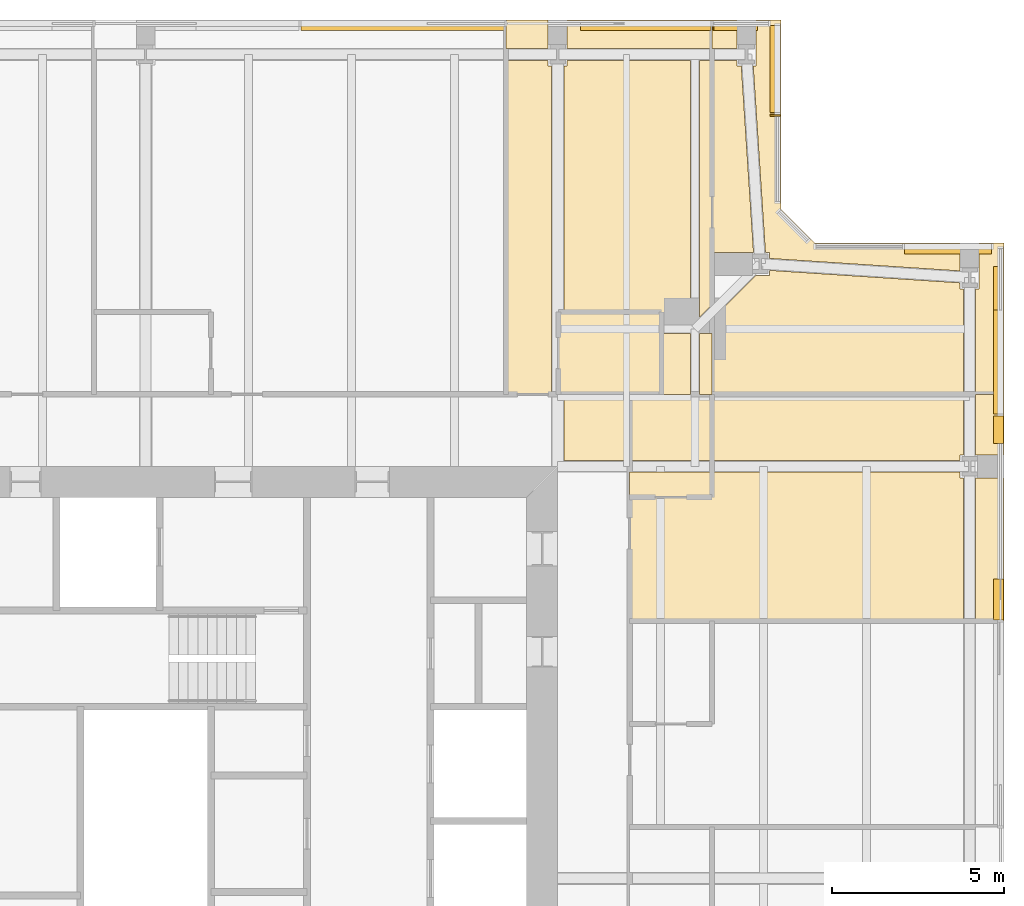
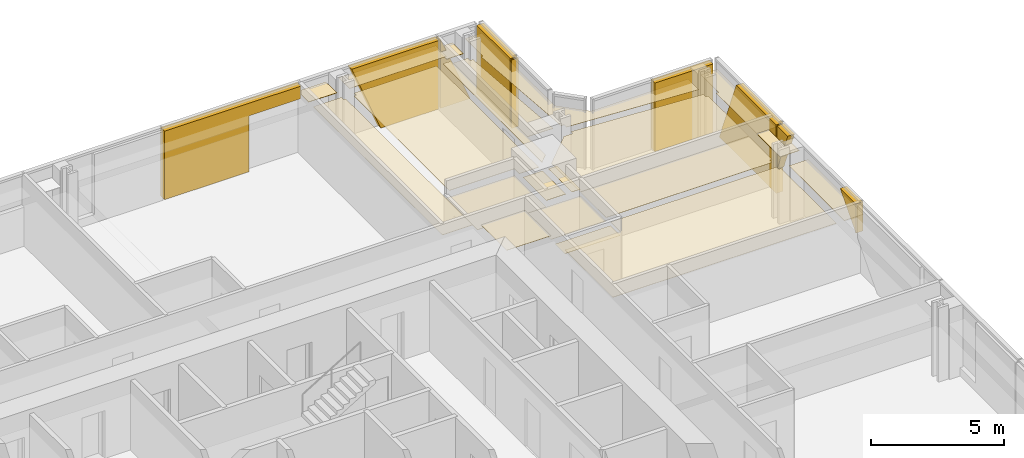
# One storey, part 20 of 20: 29 coverings.
"""IFC4 building model written with IfcOpenShell, lengths in metres."""

from ifc_helpers import new_model, si_unit, direction, frame, origin, place, context, subcontext, project, spatial, polyline, outline, extrude, material, layer, layer_set, type_object, element, save


model = new_model("IFC4")

# Units and contexts
model_context = context("Model", 3, precision=1e-05, world=origin(), true_north=direction((0.0, 1.0)))
body_context = subcontext(model_context, "Body", "Model", "MODEL_VIEW")
ifc_project = project(units=[si_unit("LENGTHUNIT", "METRE"), si_unit("AREAUNIT", "SQUARE_METRE"), si_unit("VOLUMEUNIT", "CUBIC_METRE"), si_unit("PLANEANGLEUNIT", "RADIAN"), si_unit("MASSUNIT", "GRAM", prefix="KILO")], contexts=[model_context])

# Site, building, storey
site_placement = place(None, origin())
site = spatial("IfcSite", under=ifc_project, at=site_placement, CompositionType="ELEMENT")
building_placement = place(site_placement, origin())
building = spatial("IfcBuilding", under=site, at=building_placement, Name="Fenwick Lantern Interchange", CompositionType="ELEMENT")
storey_placement = place(building_placement, frame((0.0, 0.0, 259.39990234375)))
storey = spatial("IfcBuildingStorey", under=building, at=storey_placement, Name="L61", CompositionType="ELEMENT", Elevation=259.39990234375)

# Coverings
ifc_material_1 = material(Name="Granite cladding, warm grey flamed finish, on aluminium carrier frame", Category="masonry")
ifc_layer_1 = layer(ifc_material_1, 0.300048828125)
ifc_layer_set_1 = layer_set([ifc_layer_1], Name="BRACE CASING PANEL 300")
covering_type_1 = type_object("IfcCoveringType", Name="BRACE CASING PANEL 300", PredefinedType="CLADDING", material=ifc_layer_set_1)
covering_1_placement = place(storey_placement, frame((49.89990234375, 6.60009765625, 1.8076171875), z_axis=(0.0, 0.0, 1.0), x_axis=(0.0, 1.0, 0.0)))
element("IfcCovering", 1, at=covering_1_placement, inside=storey, type_object=covering_type_1, Name="Brace casing 05 bay 05a", PredefinedType="CLADDING", context=body_context, shape_type="SweptSolid", body=[
    extrude(outline(polyline([(25.929931640625, 0.0), (27.114501953125, 1.342529296875), (25.929931640625, 1.342529296875), (25.929931640625, 0.0)])), frame((0.0, 0.2099609375, 0.0), z_axis=(0.0, -1.0, 0.0), x_axis=(1.0, 0.0, 0.0)), (0.0, 0.0, 1.0), 0.300048828125),
])
covering_2_placement = place(storey_placement, frame((49.89990234375, 6.60009765625, 1.158203125), z_axis=(0.0, 0.0, 1.0), x_axis=(0.0, 1.0, 0.0)))
element("IfcCovering", 2, at=covering_2_placement, inside=storey, type_object=covering_type_1, Name="Brace casing 05 bay 05b", PredefinedType="CLADDING", context=body_context, shape_type="SweptSolid", body=[
    extrude(outline(polyline([(31.8701171875, 0.0), (31.8701171875, 1.991943359375), (31.064453125, 1.991943359375), (31.8701171875, 0.0)])), frame((0.0, 0.2099609375, 0.0), z_axis=(0.0, -1.0, 0.0), x_axis=(1.0, 0.0, 0.0)), (0.0, 0.0, 1.0), 0.300048828125),
])
covering_3_placement = place(storey_placement, frame((49.89990234375, 6.60009765625, 0.0), z_axis=(0.0, 0.0, 1.0), x_axis=(0.0, 1.0, 0.0)))
element("IfcCovering", 3, at=covering_3_placement, inside=storey, type_object=covering_type_1, Name="Brace casing 05 bay 06a", PredefinedType="CLADDING", context=body_context, shape_type="SweptSolid", body=[
    extrude(outline(polyline([(31.929931640625, 0.0), (36.221435546875, 0.0), (34.94775390625, 3.150146484375), (31.929931640625, 3.150146484375), (31.929931640625, 0.0)])), frame((0.0, 0.2099609375, 0.0), z_axis=(0.0, -1.0, 0.0), x_axis=(1.0, 0.0, 0.0)), (0.0, 0.0, 1.0), 0.300048828125),
])
covering_4_placement = place(storey_placement, frame((49.89990234375, 43.39990234375, 0.0), z_axis=(0.0, 0.0, 1.0), x_axis=(-1.0, 0.0, 0.0)))
element("IfcCovering", 4, at=covering_4_placement, inside=storey, type_object=covering_type_1, Name="Brace casing 06 bay 00a", PredefinedType="CLADDING", context=body_context, shape_type="SweptSolid", body=[
    extrude(outline(polyline([(0.260009765625, 0.0), (2.790771484375, 0.0), (2.790771484375, 3.150146484375), (0.260009765625, 3.150146484375), (0.260009765625, 0.0)])), frame((0.0, 0.2099609375, 0.0), z_axis=(0.0, -1.0, 0.0), x_axis=(1.0, 0.0, 0.0)), (0.0, 0.0, 1.0), 0.300048828125),
])
covering_5_placement = place(storey_placement, frame((43.39990234375, 44.45849609375, 0.0), z_axis=(0.0, 0.0, 1.0), x_axis=(0.0, 1.0, 0.0)))
element("IfcCovering", 5, at=covering_5_placement, inside=storey, type_object=covering_type_1, Name="Brace casing 08 bay 00a", PredefinedType="CLADDING", context=body_context, shape_type="SweptSolid", body=[
    extrude(outline(polyline([(2.741455078125, 0.0), (2.790771484375, 0.0), (2.790771484375, 3.150146484375), (2.741455078125, 3.150146484375), (2.741455078125, 0.0)])), frame((0.0, 0.2099609375, 0.0), z_axis=(0.0, -1.0, 0.0), x_axis=(1.0, 0.0, 0.0)), (0.0, 0.0, 1.0), 0.300048828125),
])
covering_6_placement = place(storey_placement, frame((43.39990234375, 44.45849609375, 0.0), z_axis=(0.0, 0.0, 1.0), x_axis=(0.0, 1.0, 0.0)))
element("IfcCovering", 6, at=covering_6_placement, inside=storey, type_object=covering_type_1, Name="Brace casing 08 bay 01a", PredefinedType="CLADDING", context=body_context, shape_type="SweptSolid", body=[
    extrude(outline(polyline([(2.850830078125, 0.0), (5.38134765625, 0.0), (5.38134765625, 3.150146484375), (2.850830078125, 3.150146484375), (2.850830078125, 0.0)])), frame((0.0, 0.2099609375, 0.0), z_axis=(0.0, -1.0, 0.0), x_axis=(1.0, 0.0, 0.0)), (0.0, 0.0, 1.0), 0.300048828125),
])
covering_7_placement = place(storey_placement, frame((43.39990234375, 49.89990234375, 0.0), z_axis=(0.0, 0.0, 1.0), x_axis=(-1.0, 0.0, 0.0)))
element("IfcCovering", 7, at=covering_7_placement, inside=storey, type_object=covering_type_1, Name="Brace casing 09 bay 00a", PredefinedType="CLADDING", context=body_context, shape_type="SweptSolid", body=[
    extrude(outline(polyline([(0.578369140625, 0.0), (1.8701171875, 0.0), (1.8701171875, 3.150146484375), (1.852294921875, 3.150146484375), (0.578369140625, 0.0)])), frame((0.0, 0.2099609375, 0.0), z_axis=(0.0, -1.0, 0.0), x_axis=(1.0, 0.0, 0.0)), (0.0, 0.0, 1.0), 0.300048828125),
])
covering_8_placement = place(storey_placement, frame((43.39990234375, 49.89990234375, 0.0), z_axis=(0.0, 0.0, 1.0), x_axis=(-1.0, 0.0, 0.0)))
element("IfcCovering", 8, at=covering_8_placement, inside=storey, type_object=covering_type_1, Name="Brace casing 09 bay 01a", PredefinedType="CLADDING", context=body_context, shape_type="SweptSolid", body=[
    extrude(outline(polyline([(1.929931640625, 0.0), (4.461669921875, 0.0), (5.735595703125, 3.150146484375), (1.929931640625, 3.150146484375), (1.929931640625, 0.0)])), frame((0.0, 0.2099609375, 0.0), z_axis=(0.0, -1.0, 0.0), x_axis=(1.0, 0.0, 0.0)), (0.0, 0.0, 1.0), 0.300048828125),
])
covering_9_placement = place(storey_placement, frame((43.39990234375, 49.89990234375, 0.0), z_axis=(0.0, 0.0, 1.0), x_axis=(-1.0, 0.0, 0.0)))
element("IfcCovering", 9, at=covering_9_placement, inside=storey, type_object=covering_type_1, Name="Brace casing 09 bay 02a", PredefinedType="CLADDING", context=body_context, shape_type="SweptSolid", body=[
    extrude(outline(polyline([(10.195068359375, 0.0), (13.8701171875, 0.0), (13.8701171875, 3.150146484375), (7.929931640625, 3.150146484375), (7.929931640625, 2.572509765625), (10.195068359375, 2.572509765625), (10.195068359375, 0.0)])), frame((0.0, 0.2099609375, 0.0), z_axis=(0.0, -1.0, 0.0), x_axis=(1.0, 0.0, 0.0)), (0.0, 0.0, 1.0), 0.300048828125),
])
ifc_material_2 = material(Name="Moisture resistant gypsum board on suspended frame, painted")
ifc_layer_2 = layer(ifc_material_2, 0.014892578125)
ifc_layer_set_2 = layer_set([ifc_layer_2], Name="MOISTURE RESISTANT CEILING 15")
covering_type_2 = type_object("IfcCoveringType", Name="MOISTURE RESISTANT CEILING 15", PredefinedType="CEILING", material=ifc_layer_set_2)
covering_10_placement = place(storey_placement, frame((0.0, 0.0, 2.400146484375)))
element("IfcCovering", 10, at=covering_10_placement, inside=storey, type_object=covering_type_2, Name="En-suite 6108 ceiling", PredefinedType="CEILING", context=body_context, shape_type="SweptSolid", body=[
    extrude(outline(polyline([(39.10009765625, 39.10009765625), (39.10009765625, 37.166015625), (41.5, 37.166015625), (41.5, 39.10009765625), (39.10009765625, 39.10009765625)])), origin(), (0.0, 0.0, 1.0), 0.014892578125),
])
covering_11_placement = place(storey_placement, frame((0.0, 0.0, 2.400146484375)))
element("IfcCovering", 11, at=covering_11_placement, inside=storey, type_object=covering_type_2, Name="En-suite 6108 ceiling", PredefinedType="CEILING", context=body_context, shape_type="SweptSolid", body=[
    extrude(outline(polyline([(41.5, 36.10009765625), (41.5, 36.833984375), (39.10009765625, 36.833984375), (39.10009765625, 36.10009765625), (41.5, 36.10009765625)])), origin(), (0.0, 0.0, 1.0), 0.014892578125),
])
covering_12_placement = place(storey_placement, frame((0.0, 0.0, 2.400146484375)))
element("IfcCovering", 12, at=covering_12_placement, inside=storey, type_object=covering_type_2, Name="En-suite 6109 ceiling", PredefinedType="CEILING", context=body_context, shape_type="SweptSolid", body=[
    extrude(outline(polyline([(40.02490234375, 41.5), (37.02490234375, 41.5), (37.02490234375, 39.10009765625), (40.02490234375, 39.10009765625), (40.02490234375, 41.5)])), origin(), (0.0, 0.0, 1.0), 0.014892578125),
])
ifc_material_3 = material(Name="Gypsum plasterboard on suspended frame, painted")
ifc_layer_3 = layer(ifc_material_3, 0.014892578125)
ifc_layer_set_3 = layer_set([ifc_layer_3], Name="PLASTERBOARD CEILING 15")
covering_type_3 = type_object("IfcCoveringType", Name="PLASTERBOARD CEILING 15", PredefinedType="CEILING", material=ifc_layer_set_3)
covering_13_placement = place(storey_placement, frame((0.0, 0.0, 2.572998046875)))
element("IfcCovering", 13, at=covering_13_placement, inside=storey, type_object=covering_type_3, Name="Corridor ceiling", PredefinedType="CEILING", context=body_context, shape_type="SweptSolid", body=[
    extrude(outline(polyline([(39.10009765625, 39.10009765625), (37.183837890625, 39.10009765625), (37.183837890625, 37.166015625), (39.10009765625, 37.166015625), (39.10009765625, 39.10009765625)])), origin(), (0.0, 0.0, 1.0), 0.014892578125),
])
covering_14_placement = place(storey_placement, frame((0.0, 0.0, 2.572998046875)))
element("IfcCovering", 14, at=covering_14_placement, inside=storey, type_object=covering_type_3, Name="Guest room 6108 ceiling", PredefinedType="CEILING", context=body_context, shape_type="SweptSolid", body=[
    extrude(outline(polyline([(48.72265625, 36.66552734375), (48.72265625, 36.833984375), (41.5, 36.833984375), (41.5, 36.10009765625), (39.10009765625, 36.10009765625), (39.10009765625, 32.5), (48.82763671875, 32.5), (48.82763671875, 36.66552734375), (48.72265625, 36.66552734375)])), origin(), (0.0, 0.0, 1.0), 0.014892578125),
])
covering_15_placement = place(storey_placement, frame((0.0, 0.0, 2.572998046875)))
element("IfcCovering", 15, at=covering_15_placement, inside=storey, type_object=covering_type_3, Name="Guest room 6108 ceiling", PredefinedType="CEILING", context=body_context, shape_type="SweptSolid", body=[
    extrude(outline(polyline([(48.72265625, 37.33447265625), (48.82763671875, 37.33447265625), (48.82763671875, 39.10009765625), (41.5, 39.10009765625), (41.5, 37.166015625), (48.72265625, 37.166015625), (48.72265625, 37.33447265625)])), origin(), (0.0, 0.0, 1.0), 0.014892578125),
])
covering_16_placement = place(storey_placement, frame((0.0, 0.0, 2.572998046875)))
element("IfcCovering", 16, at=covering_16_placement, inside=storey, type_object=covering_type_3, Name="Guest room 6108 ceiling", PredefinedType="CEILING", context=body_context, shape_type="SweptSolid", body=[
    extrude(outline(polyline([(50.0, 36.66552734375), (49.17236328125, 36.66552734375), (49.17236328125, 32.5), (50.0, 32.5), (50.0, 36.66552734375)])), origin(), (0.0, 0.0, 1.0), 0.014892578125),
])
covering_17_placement = place(storey_placement, frame((0.0, 0.0, 2.572998046875)))
element("IfcCovering", 17, at=covering_17_placement, inside=storey, type_object=covering_type_3, Name="Guest room 6108 ceiling", PredefinedType="CEILING", context=body_context, shape_type="SweptSolid", body=[
    extrude(outline(polyline([(49.17236328125, 37.33447265625), (50.0, 37.33447265625), (50.0, 39.10009765625), (49.17236328125, 39.10009765625), (49.17236328125, 37.33447265625)])), origin(), (0.0, 0.0, 1.0), 0.014892578125),
])
covering_18_placement = place(storey_placement, frame((0.0, 0.0, 2.572998046875)))
element("IfcCovering", 18, at=covering_18_placement, inside=storey, type_object=covering_type_3, Name="Guest suite 6109 sitting room ceiling", PredefinedType="CEILING", context=body_context, shape_type="SweptSolid", body=[
    extrude(outline(polyline([(48.82763671875, 42.16552734375), (48.72265625, 42.16552734375), (48.72265625, 42.345458984375), (43.17724609375, 42.708984375), (43.17724609375, 42.5654296875), (42.782470703125, 42.5654296875), (41.5, 41.283203125), (41.5, 39.10009765625), (48.82763671875, 39.10009765625), (48.82763671875, 42.16552734375)])), origin(), (0.0, 0.0, 1.0), 0.014892578125),
])
covering_19_placement = place(storey_placement, frame((0.0, 0.0, 2.572998046875)))
element("IfcCovering", 19, at=covering_19_placement, inside=storey, type_object=covering_type_3, Name="Guest suite 6109 sitting room ceiling", PredefinedType="CEILING", context=body_context, shape_type="SweptSolid", body=[
    extrude(outline(polyline([(43.17724609375, 43.234375), (43.17724609375, 43.0546875), (48.72265625, 42.69091796875), (48.72265625, 43.5), (44.5, 43.5), (43.5, 44.5), (43.5, 50.0), (42.77734375, 50.0), (42.77734375, 48.66552734375), (42.69482421875, 48.66552734375), (43.05078125, 43.234375), (43.17724609375, 43.234375)])), origin(), (0.0, 0.0, 1.0), 0.014892578125),
])
covering_20_placement = place(storey_placement, frame((0.0, 0.0, 2.572998046875)))
element("IfcCovering", 20, at=covering_20_placement, inside=storey, type_object=covering_type_3, Name="Guest suite 6109 sitting room ceiling", PredefinedType="CEILING", context=body_context, shape_type="SweptSolid", body=[
    extrude(outline(polyline([(41.5, 43.234375), (42.705322265625, 43.234375), (42.34912109375, 48.66552734375), (42.22265625, 48.66552734375), (42.22265625, 48.82763671875), (41.5, 48.82763671875), (41.5, 43.234375)])), origin(), (0.0, 0.0, 1.0), 0.014892578125),
])
covering_21_placement = place(storey_placement, frame((0.0, 0.0, 2.572998046875)))
element("IfcCovering", 21, at=covering_21_placement, inside=storey, type_object=covering_type_3, Name="Guest suite 6109 sitting room ceiling", PredefinedType="CEILING", context=body_context, shape_type="SweptSolid", body=[
    extrude(outline(polyline([(49.27734375, 42.16552734375), (49.17236328125, 42.16552734375), (49.17236328125, 39.10009765625), (50.0, 39.10009765625), (50.0, 43.5), (49.27734375, 43.5), (49.27734375, 42.16552734375)])), origin(), (0.0, 0.0, 1.0), 0.014892578125),
])
covering_22_placement = place(storey_placement, frame((0.0, 0.0, 2.572998046875)))
element("IfcCovering", 22, at=covering_22_placement, inside=storey, type_object=covering_type_3, Name="Guest suite 6109 sitting room ceiling", PredefinedType="CEILING", context=body_context, shape_type="SweptSolid", body=[
    extrude(outline(polyline([(41.5, 50.0), (41.5, 49.17236328125), (42.22265625, 49.17236328125), (42.22265625, 50.0), (41.5, 50.0)])), origin(), (0.0, 0.0, 1.0), 0.014892578125),
])
covering_23_placement = place(storey_placement, frame((0.0, 0.0, 2.7001953125)))
element("IfcCovering", 23, at=covering_23_placement, inside=storey, type_object=covering_type_3, Name="Guest suite 6109 bedroom ceiling", PredefinedType="CEILING", context=body_context, shape_type="SweptSolid", body=[
    extrude(outline(polyline([(37.27734375, 48.66552734375), (37.183837890625, 48.66552734375), (37.183837890625, 41.5), (40.02490234375, 41.5), (40.02490234375, 41.134521484375), (40.865478515625, 41.134521484375), (40.865478515625, 48.82763671875), (37.27734375, 48.82763671875), (37.27734375, 48.66552734375)])), origin(), (0.0, 0.0, 1.0), 0.014892578125),
])
covering_24_placement = place(storey_placement, frame((0.0, 0.0, 2.7001953125)))
element("IfcCovering", 24, at=covering_24_placement, inside=storey, type_object=covering_type_3, Name="Guest suite 6109 bedroom ceiling", PredefinedType="CEILING", context=body_context, shape_type="SweptSolid", body=[
    extrude(outline(polyline([(36.72265625, 48.66552734375), (36.72265625, 48.82763671875), (35.5, 48.82763671875), (35.5, 39.10009765625), (36.816162109375, 39.10009765625), (36.816162109375, 48.66552734375), (36.72265625, 48.66552734375)])), origin(), (0.0, 0.0, 1.0), 0.014892578125),
])
covering_25_placement = place(storey_placement, frame((0.0, 0.0, 2.7001953125)))
element("IfcCovering", 25, at=covering_25_placement, inside=storey, type_object=covering_type_3, Name="Guest suite 6109 bedroom ceiling", PredefinedType="CEILING", context=body_context, shape_type="SweptSolid", body=[
    extrude(outline(polyline([(37.27734375, 50.0), (37.27734375, 49.17236328125), (41.5, 49.17236328125), (41.5, 50.0), (37.27734375, 50.0)])), origin(), (0.0, 0.0, 1.0), 0.014892578125),
])
covering_26_placement = place(storey_placement, frame((0.0, 0.0, 2.7001953125)))
element("IfcCovering", 26, at=covering_26_placement, inside=storey, type_object=covering_type_3, Name="Guest suite 6109 bedroom ceiling", PredefinedType="CEILING", context=body_context, shape_type="SweptSolid", body=[
    extrude(outline(polyline([(41.5, 41.716796875), (41.5, 48.82763671875), (41.134521484375, 48.82763671875), (41.134521484375, 41.351318359375), (41.5, 41.716796875)])), origin(), (0.0, 0.0, 1.0), 0.014892578125),
])
covering_27_placement = place(storey_placement, frame((0.0, 0.0, 2.7001953125)))
element("IfcCovering", 27, at=covering_27_placement, inside=storey, type_object=covering_type_3, Name="Guest suite 6109 bedroom ceiling", PredefinedType="CEILING", context=body_context, shape_type="SweptSolid", body=[
    extrude(outline(polyline([(40.02490234375, 39.10009765625), (40.865478515625, 39.10009765625), (40.865478515625, 40.865478515625), (40.02490234375, 40.865478515625), (40.02490234375, 39.10009765625)])), origin(), (0.0, 0.0, 1.0), 0.014892578125),
])
covering_28_placement = place(storey_placement, frame((0.0, 0.0, 2.7001953125)))
element("IfcCovering", 28, at=covering_28_placement, inside=storey, type_object=covering_type_3, Name="Guest suite 6109 bedroom ceiling", PredefinedType="CEILING", context=body_context, shape_type="SweptSolid", body=[
    extrude(outline(polyline([(36.72265625, 50.0), (35.5, 50.0), (35.5, 49.17236328125), (36.72265625, 49.17236328125), (36.72265625, 50.0)])), origin(), (0.0, 0.0, 1.0), 0.014892578125),
])
covering_29_placement = place(storey_placement, frame((0.0, 0.0, 2.7001953125)))
element("IfcCovering", 29, at=covering_29_placement, inside=storey, type_object=covering_type_3, Name="Guest suite 6109 bedroom ceiling", PredefinedType="CEILING", context=body_context, shape_type="SweptSolid", body=[
    extrude(outline(polyline([(41.5, 39.10009765625), (41.5, 40.865478515625), (41.134521484375, 40.865478515625), (41.134521484375, 39.10009765625), (41.5, 39.10009765625)])), origin(), (0.0, 0.0, 1.0), 0.014892578125),
])

save(model, "model.ifc")
